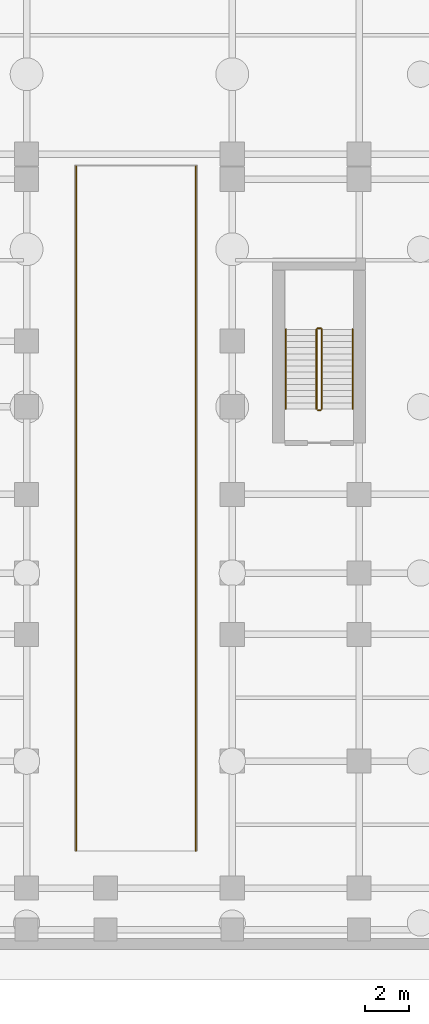
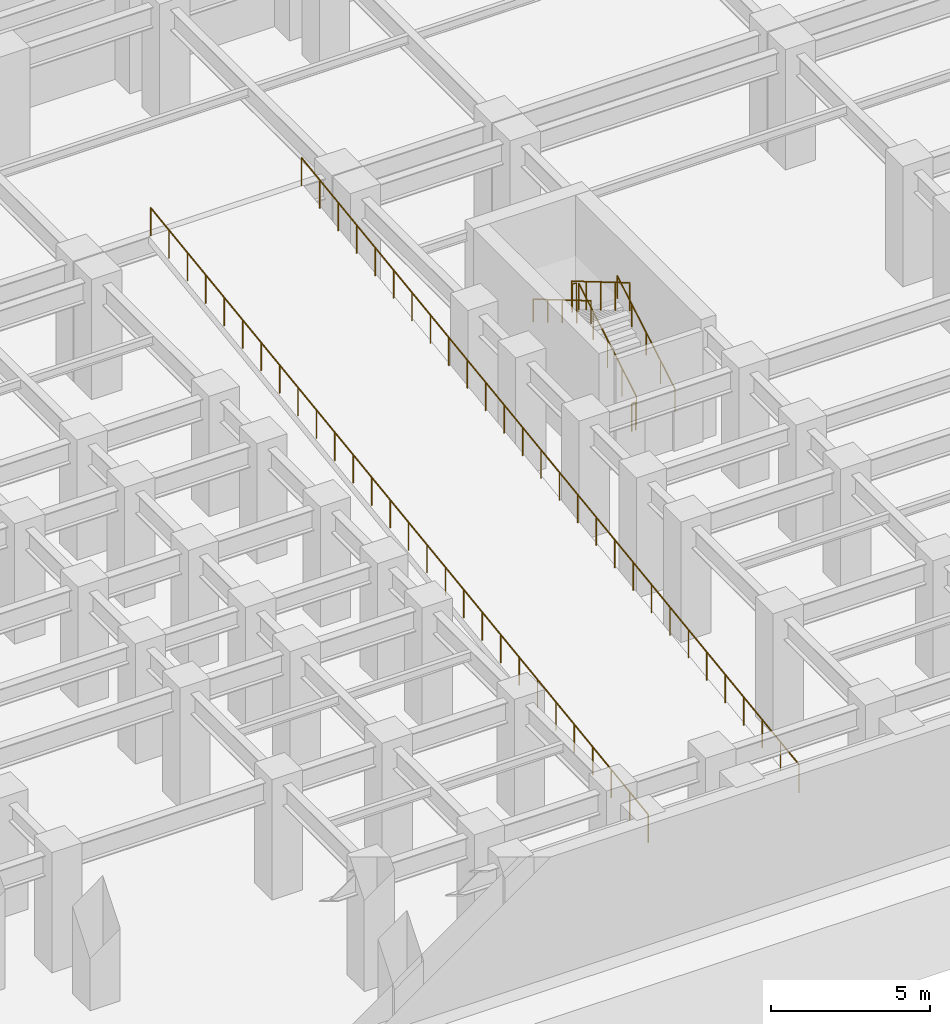
# One storey, part 11 of 13: 8 railings.
"""IFC4 building model written with IfcOpenShell, lengths in metres."""

from ifc_helpers import new_model, si_unit, direction, frame, origin, origin_2d, place, context, subcontext, project, spatial, circle, extrude, material, type_object, element, save


model = new_model("IFC4")

# Units and contexts
model_context = context("Model", 3, precision=1e-05, world=origin(), true_north=direction((0.0, 1.0)))
body_context = subcontext(model_context, "Body", "Model", "MODEL_VIEW")
ifc_project = project(units=[si_unit("LENGTHUNIT", "METRE"), si_unit("AREAUNIT", "SQUARE_METRE"), si_unit("VOLUMEUNIT", "CUBIC_METRE"), si_unit("PLANEANGLEUNIT", "RADIAN"), si_unit("MASSUNIT", "GRAM", prefix="KILO")], contexts=[model_context])

# Site, building, storey
site_placement = place(None, origin())
site = spatial("IfcSite", under=ifc_project, at=site_placement, CompositionType="ELEMENT")
building_placement = place(site_placement, origin())
building = spatial("IfcBuilding", under=site, at=building_placement, Name="Kefirva Bronze Tower", CompositionType="ELEMENT")
storey_placement = place(building_placement, frame((0.0, 0.0, -9.239990234375)))
storey = spatial("IfcBuildingStorey", under=building, at=storey_placement, Name="B2", CompositionType="ELEMENT", Elevation=-9.239990234375)

# Railings
ifc_material = material(Name="Stainless steel 316", Category="steel")
railing_type_1 = type_object("IfcRailingType", Name="Interior Stair Guardrail 1100mm", PredefinedType="GUARDRAIL", material=ifc_material)
railing_1_placement = place(storey_placement, frame((53.5, 22.699951171875, 0.1650390625)))
element("IfcRailing", 1, at=railing_1_placement, inside=storey, type_object=railing_type_1, Name="B2 ST-4 stair guard 1", PredefinedType="GUARDRAIL", context=body_context, shape_type="SweptSolid", body=[
    extrude(circle(Radius=0.02392578125, at=origin_2d()), frame((0.0, 0.0, 1.076171875), z_axis=(0.0, 0.861544779993, 0.507681585313), x_axis=(-1.0, 0.0, 0.0)), (0.0, 0.0, 1.0), 4.22509765625),
    extrude(circle(Radius=0.02099609375, at=origin_2d()), origin(), (0.0, 0.0, 1.0), 1.052001953125),
    extrude(circle(Radius=0.02099609375, at=origin_2d()), frame((0.0, 0.91015625, 0.5361328125)), (0.0, 0.0, 1.0), 1.052001953125),
    extrude(circle(Radius=0.02099609375, at=origin_2d()), frame((0.0, 1.820068359375, 1.072509765625)), (0.0, 0.0, 1.0), 1.052001953125),
    extrude(circle(Radius=0.02099609375, at=origin_2d()), frame((0.0, 2.72998046875, 1.60888671875)), (0.0, 0.0, 1.0), 1.052001953125),
    extrude(circle(Radius=0.02099609375, at=origin_2d()), frame((0.0, 3.64013671875, 2.14501953125)), (0.0, 0.0, 1.0), 1.052001953125),
])
railing_2_placement = place(storey_placement, frame((53.449951171875, 26.389892578125, 2.31005859375)))
element("IfcRailing", 2, at=railing_2_placement, inside=storey, type_object=railing_type_1, Name="B2 ST-4 stair guard 2", PredefinedType="GUARDRAIL", context=body_context, shape_type="SweptSolid", body=[
    extrude(circle(Radius=0.02392578125, at=origin_2d()), frame((0.0, 0.0, 1.076171875), z_axis=(-1.0, 0.0, 0.0), x_axis=(0.0, -1.0, 0.0)), (0.0, 0.0, 1.0), 0.14990234375),
    extrude(circle(Radius=0.02099609375, at=origin_2d()), origin(), (0.0, 0.0, 1.0), 1.052001953125),
    extrude(circle(Radius=0.02099609375, at=origin_2d()), frame((-0.14990234375, 0.0, 0.0)), (0.0, 0.0, 1.0), 1.052001953125),
])
railing_3_placement = place(storey_placement, frame((53.25, 26.340087890625, 2.47509765625)))
element("IfcRailing", 3, at=railing_3_placement, inside=storey, type_object=railing_type_1, Name="B2 ST-4 stair guard 3", PredefinedType="GUARDRAIL", context=body_context, shape_type="SweptSolid", body=[
    extrude(circle(Radius=0.02392578125, at=origin_2d()), frame((0.0, 0.0, 1.076171875), z_axis=(0.0, -0.861570053405, 0.507638693438), x_axis=(1.0, 0.0, 0.0)), (0.0, 0.0, 1.0), 4.22509765625),
    extrude(circle(Radius=0.02099609375, at=origin_2d()), origin(), (0.0, 0.0, 1.0), 1.052001953125),
    extrude(circle(Radius=0.02099609375, at=origin_2d()), frame((0.0, -0.91015625, 0.5361328125)), (0.0, 0.0, 1.0), 1.052001953125),
    extrude(circle(Radius=0.02099609375, at=origin_2d()), frame((0.0, -1.820068359375, 1.072265625)), (0.0, 0.0, 1.0), 1.052001953125),
    extrude(circle(Radius=0.02099609375, at=origin_2d()), frame((0.0, -2.72998046875, 1.608642578125)), (0.0, 0.0, 1.0), 1.052001953125),
    extrude(circle(Radius=0.02099609375, at=origin_2d()), frame((0.0, -3.64013671875, 2.144775390625)), (0.0, 0.0, 1.0), 1.052001953125),
])
railing_4_placement = place(storey_placement, frame((53.449951171875, 22.64990234375, 0.0)))
element("IfcRailing", 4, at=railing_4_placement, inside=storey, type_object=railing_type_1, Name="B2 ST-4 stair guard 4", PredefinedType="GUARDRAIL", context=body_context, shape_type="SweptSolid", body=[
    extrude(circle(Radius=0.02392578125, at=origin_2d()), frame((0.0, 0.0, 1.076171875), z_axis=(-1.0, 0.0, 0.0), x_axis=(0.0, -1.0, 0.0)), (0.0, 0.0, 1.0), 0.14990234375),
    extrude(circle(Radius=0.02099609375, at=origin_2d()), origin(), (0.0, 0.0, 1.0), 1.052001953125),
    extrude(circle(Radius=0.02099609375, at=origin_2d()), frame((-0.14990234375, 0.0, 0.0)), (0.0, 0.0, 1.0), 1.052001953125),
])
railing_5_placement = place(storey_placement, frame((42.260009765625, 2.5, 0.300048828125)))
element("IfcRailing", 5, at=railing_5_placement, inside=storey, type_object=railing_type_1, Name="B2 Sloped Car Ramp West Guardrail", PredefinedType="GUARDRAIL", context=body_context, shape_type="SweptSolid", body=[
    extrude(circle(Radius=0.02392578125, at=origin_2d()), frame((0.0, 0.0, 1.076171875), z_axis=(0.0, 0.990610090351, 0.136717405239), x_axis=(-1.0, 0.0, 0.0)), (0.0, 0.0, 1.0), 31.5966796875),
    extrude(circle(Radius=0.02099609375, at=origin_2d()), origin(), (0.0, 0.0, 1.0), 1.052001953125),
    extrude(circle(Radius=0.02099609375, at=origin_2d()), frame((0.0, 1.1591796875, 0.159912109375)), (0.0, 0.0, 1.0), 1.052001953125),
    extrude(circle(Radius=0.02099609375, at=origin_2d()), frame((0.0, 2.318603515625, 0.320068359375)), (0.0, 0.0, 1.0), 1.052001953125),
    extrude(circle(Radius=0.02099609375, at=origin_2d()), frame((0.0, 3.477783203125, 0.47998046875)), (0.0, 0.0, 1.0), 1.052001953125),
    extrude(circle(Radius=0.02099609375, at=origin_2d()), frame((0.0, 4.636962890625, 0.639892578125)), (0.0, 0.0, 1.0), 1.052001953125),
    extrude(circle(Radius=0.02099609375, at=origin_2d()), frame((0.0, 5.79638671875, 0.800048828125)), (0.0, 0.0, 1.0), 1.052001953125),
    extrude(circle(Radius=0.02099609375, at=origin_2d()), frame((0.0, 6.95556640625, 0.9599609375)), (0.0, 0.0, 1.0), 1.052001953125),
    extrude(circle(Radius=0.02099609375, at=origin_2d()), frame((0.0, 8.11474609375, 1.119873046875)), (0.0, 0.0, 1.0), 1.052001953125),
    extrude(circle(Radius=0.02099609375, at=origin_2d()), frame((0.0, 9.274169921875, 1.280029296875)), (0.0, 0.0, 1.0), 1.052001953125),
    extrude(circle(Radius=0.02099609375, at=origin_2d()), frame((0.0, 10.433349609375, 1.43994140625)), (0.0, 0.0, 1.0), 1.052001953125),
    extrude(circle(Radius=0.02099609375, at=origin_2d()), frame((0.0, 11.592529296875, 1.599853515625)), (0.0, 0.0, 1.0), 1.052001953125),
    extrude(circle(Radius=0.02099609375, at=origin_2d()), frame((0.0, 12.751953125, 1.760009765625)), (0.0, 0.0, 1.0), 1.052001953125),
    extrude(circle(Radius=0.02099609375, at=origin_2d()), frame((0.0, 13.9111328125, 1.919921875)), (0.0, 0.0, 1.0), 1.052001953125),
    extrude(circle(Radius=0.02099609375, at=origin_2d()), frame((0.0, 15.0703125, 2.079833984375)), (0.0, 0.0, 1.0), 1.052001953125),
    extrude(circle(Radius=0.02099609375, at=origin_2d()), frame((0.0, 16.229736328125, 2.239990234375)), (0.0, 0.0, 1.0), 1.052001953125),
    extrude(circle(Radius=0.02099609375, at=origin_2d()), frame((0.0, 17.388916015625, 2.39990234375)), (0.0, 0.0, 1.0), 1.052001953125),
    extrude(circle(Radius=0.02099609375, at=origin_2d()), frame((0.0, 18.548095703125, 2.559814453125)), (0.0, 0.0, 1.0), 1.052001953125),
    extrude(circle(Radius=0.02099609375, at=origin_2d()), frame((0.0, 19.70751953125, 2.719970703125)), (0.0, 0.0, 1.0), 1.052001953125),
    extrude(circle(Radius=0.02099609375, at=origin_2d()), frame((0.0, 20.86669921875, 2.8798828125)), (0.0, 0.0, 1.0), 1.052001953125),
    extrude(circle(Radius=0.02099609375, at=origin_2d()), frame((0.0, 22.02587890625, 3.039794921875)), (0.0, 0.0, 1.0), 1.052001953125),
    extrude(circle(Radius=0.02099609375, at=origin_2d()), frame((0.0, 23.185302734375, 3.199951171875)), (0.0, 0.0, 1.0), 1.052001953125),
    extrude(circle(Radius=0.02099609375, at=origin_2d()), frame((0.0, 24.344482421875, 3.35986328125)), (0.0, 0.0, 1.0), 1.052001953125),
    extrude(circle(Radius=0.02099609375, at=origin_2d()), frame((0.0, 25.503662109375, 3.519775390625)), (0.0, 0.0, 1.0), 1.052001953125),
    extrude(circle(Radius=0.02099609375, at=origin_2d()), frame((0.0, 26.6630859375, 3.679931640625)), (0.0, 0.0, 1.0), 1.052001953125),
    extrude(circle(Radius=0.02099609375, at=origin_2d()), frame((0.0, 27.822265625, 3.83984375)), (0.0, 0.0, 1.0), 1.052001953125),
    extrude(circle(Radius=0.02099609375, at=origin_2d()), frame((0.0, 28.9814453125, 3.999755859375)), (0.0, 0.0, 1.0), 1.052001953125),
    extrude(circle(Radius=0.02099609375, at=origin_2d()), frame((0.0, 30.140869140625, 4.159912109375)), (0.0, 0.0, 1.0), 1.052001953125),
    extrude(circle(Radius=0.02099609375, at=origin_2d()), frame((0.0, 31.300048828125, 4.31982421875)), (0.0, 0.0, 1.0), 1.052001953125),
])
railing_6_placement = place(storey_placement, frame((47.739990234375, 2.5, 0.300048828125)))
element("IfcRailing", 6, at=railing_6_placement, inside=storey, type_object=railing_type_1, Name="B2 Sloped Car Ramp East Guardrail", PredefinedType="GUARDRAIL", context=body_context, shape_type="SweptSolid", body=[
    extrude(circle(Radius=0.02392578125, at=origin_2d()), frame((0.0, 0.0, 1.076171875), z_axis=(0.0, 0.990610090351, 0.136717405239), x_axis=(-1.0, 0.0, 0.0)), (0.0, 0.0, 1.0), 31.5966796875),
    extrude(circle(Radius=0.02099609375, at=origin_2d()), origin(), (0.0, 0.0, 1.0), 1.052001953125),
    extrude(circle(Radius=0.02099609375, at=origin_2d()), frame((0.0, 1.1591796875, 0.159912109375)), (0.0, 0.0, 1.0), 1.052001953125),
    extrude(circle(Radius=0.02099609375, at=origin_2d()), frame((0.0, 2.318603515625, 0.320068359375)), (0.0, 0.0, 1.0), 1.052001953125),
    extrude(circle(Radius=0.02099609375, at=origin_2d()), frame((0.0, 3.477783203125, 0.47998046875)), (0.0, 0.0, 1.0), 1.052001953125),
    extrude(circle(Radius=0.02099609375, at=origin_2d()), frame((0.0, 4.636962890625, 0.639892578125)), (0.0, 0.0, 1.0), 1.052001953125),
    extrude(circle(Radius=0.02099609375, at=origin_2d()), frame((0.0, 5.79638671875, 0.800048828125)), (0.0, 0.0, 1.0), 1.052001953125),
    extrude(circle(Radius=0.02099609375, at=origin_2d()), frame((0.0, 6.95556640625, 0.9599609375)), (0.0, 0.0, 1.0), 1.052001953125),
    extrude(circle(Radius=0.02099609375, at=origin_2d()), frame((0.0, 8.11474609375, 1.119873046875)), (0.0, 0.0, 1.0), 1.052001953125),
    extrude(circle(Radius=0.02099609375, at=origin_2d()), frame((0.0, 9.274169921875, 1.280029296875)), (0.0, 0.0, 1.0), 1.052001953125),
    extrude(circle(Radius=0.02099609375, at=origin_2d()), frame((0.0, 10.433349609375, 1.43994140625)), (0.0, 0.0, 1.0), 1.052001953125),
    extrude(circle(Radius=0.02099609375, at=origin_2d()), frame((0.0, 11.592529296875, 1.599853515625)), (0.0, 0.0, 1.0), 1.052001953125),
    extrude(circle(Radius=0.02099609375, at=origin_2d()), frame((0.0, 12.751953125, 1.760009765625)), (0.0, 0.0, 1.0), 1.052001953125),
    extrude(circle(Radius=0.02099609375, at=origin_2d()), frame((0.0, 13.9111328125, 1.919921875)), (0.0, 0.0, 1.0), 1.052001953125),
    extrude(circle(Radius=0.02099609375, at=origin_2d()), frame((0.0, 15.0703125, 2.079833984375)), (0.0, 0.0, 1.0), 1.052001953125),
    extrude(circle(Radius=0.02099609375, at=origin_2d()), frame((0.0, 16.229736328125, 2.239990234375)), (0.0, 0.0, 1.0), 1.052001953125),
    extrude(circle(Radius=0.02099609375, at=origin_2d()), frame((0.0, 17.388916015625, 2.39990234375)), (0.0, 0.0, 1.0), 1.052001953125),
    extrude(circle(Radius=0.02099609375, at=origin_2d()), frame((0.0, 18.548095703125, 2.559814453125)), (0.0, 0.0, 1.0), 1.052001953125),
    extrude(circle(Radius=0.02099609375, at=origin_2d()), frame((0.0, 19.70751953125, 2.719970703125)), (0.0, 0.0, 1.0), 1.052001953125),
    extrude(circle(Radius=0.02099609375, at=origin_2d()), frame((0.0, 20.86669921875, 2.8798828125)), (0.0, 0.0, 1.0), 1.052001953125),
    extrude(circle(Radius=0.02099609375, at=origin_2d()), frame((0.0, 22.02587890625, 3.039794921875)), (0.0, 0.0, 1.0), 1.052001953125),
    extrude(circle(Radius=0.02099609375, at=origin_2d()), frame((0.0, 23.185302734375, 3.199951171875)), (0.0, 0.0, 1.0), 1.052001953125),
    extrude(circle(Radius=0.02099609375, at=origin_2d()), frame((0.0, 24.344482421875, 3.35986328125)), (0.0, 0.0, 1.0), 1.052001953125),
    extrude(circle(Radius=0.02099609375, at=origin_2d()), frame((0.0, 25.503662109375, 3.519775390625)), (0.0, 0.0, 1.0), 1.052001953125),
    extrude(circle(Radius=0.02099609375, at=origin_2d()), frame((0.0, 26.6630859375, 3.679931640625)), (0.0, 0.0, 1.0), 1.052001953125),
    extrude(circle(Radius=0.02099609375, at=origin_2d()), frame((0.0, 27.822265625, 3.83984375)), (0.0, 0.0, 1.0), 1.052001953125),
    extrude(circle(Radius=0.02099609375, at=origin_2d()), frame((0.0, 28.9814453125, 3.999755859375)), (0.0, 0.0, 1.0), 1.052001953125),
    extrude(circle(Radius=0.02099609375, at=origin_2d()), frame((0.0, 30.140869140625, 4.159912109375)), (0.0, 0.0, 1.0), 1.052001953125),
    extrude(circle(Radius=0.02099609375, at=origin_2d()), frame((0.0, 31.300048828125, 4.31982421875)), (0.0, 0.0, 1.0), 1.052001953125),
])
railing_type_2 = type_object("IfcRailingType", Name="Stair Pitch Handrail 900mm", PredefinedType="HANDRAIL", material=ifc_material)
railing_7_placement = place(storey_placement, frame((54.89990234375, 22.699951171875, 0.1650390625)))
element("IfcRailing", 7, at=railing_7_placement, inside=storey, type_object=railing_type_2, Name="B2 ST-4 stair handrail 1", PredefinedType="HANDRAIL", context=body_context, shape_type="SweptSolid", body=[
    extrude(circle(Radius=0.02392578125, at=origin_2d()), frame((0.0, 0.0, 0.8759765625), z_axis=(0.0, 0.861544779993, 0.507681585313), x_axis=(-1.0, 0.0, 0.0)), (0.0, 0.0, 1.0), 4.22509765625),
    extrude(circle(Radius=0.02099609375, at=origin_2d()), origin(), (0.0, 0.0, 1.0), 0.851806640625),
    extrude(circle(Radius=0.02099609375, at=origin_2d()), frame((0.0, 0.91015625, 0.5361328125)), (0.0, 0.0, 1.0), 0.851806640625),
    extrude(circle(Radius=0.02099609375, at=origin_2d()), frame((0.0, 1.820068359375, 1.072509765625)), (0.0, 0.0, 1.0), 0.851806640625),
    extrude(circle(Radius=0.02099609375, at=origin_2d()), frame((0.0, 2.72998046875, 1.60888671875)), (0.0, 0.0, 1.0), 0.851806640625),
    extrude(circle(Radius=0.02099609375, at=origin_2d()), frame((0.0, 3.64013671875, 2.14501953125)), (0.0, 0.0, 1.0), 0.851806640625),
])
railing_8_placement = place(storey_placement, frame((51.85009765625, 26.340087890625, 2.47509765625)))
element("IfcRailing", 8, at=railing_8_placement, inside=storey, type_object=railing_type_2, Name="B2 ST-4 stair handrail 2", PredefinedType="HANDRAIL", context=body_context, shape_type="SweptSolid", body=[
    extrude(circle(Radius=0.02392578125, at=origin_2d()), frame((0.0, 0.0, 0.8759765625), z_axis=(0.0, -0.861570053405, 0.507638693438), x_axis=(1.0, 0.0, 0.0)), (0.0, 0.0, 1.0), 4.22509765625),
    extrude(circle(Radius=0.02099609375, at=origin_2d()), origin(), (0.0, 0.0, 1.0), 0.851806640625),
    extrude(circle(Radius=0.02099609375, at=origin_2d()), frame((0.0, -0.91015625, 0.5361328125)), (0.0, 0.0, 1.0), 0.851806640625),
    extrude(circle(Radius=0.02099609375, at=origin_2d()), frame((0.0, -1.820068359375, 1.072265625)), (0.0, 0.0, 1.0), 0.851806640625),
    extrude(circle(Radius=0.02099609375, at=origin_2d()), frame((0.0, -2.72998046875, 1.608642578125)), (0.0, 0.0, 1.0), 0.851806640625),
    extrude(circle(Radius=0.02099609375, at=origin_2d()), frame((0.0, -3.64013671875, 2.144775390625)), (0.0, 0.0, 1.0), 0.851806640625),
])

save(model, "model.ifc")
